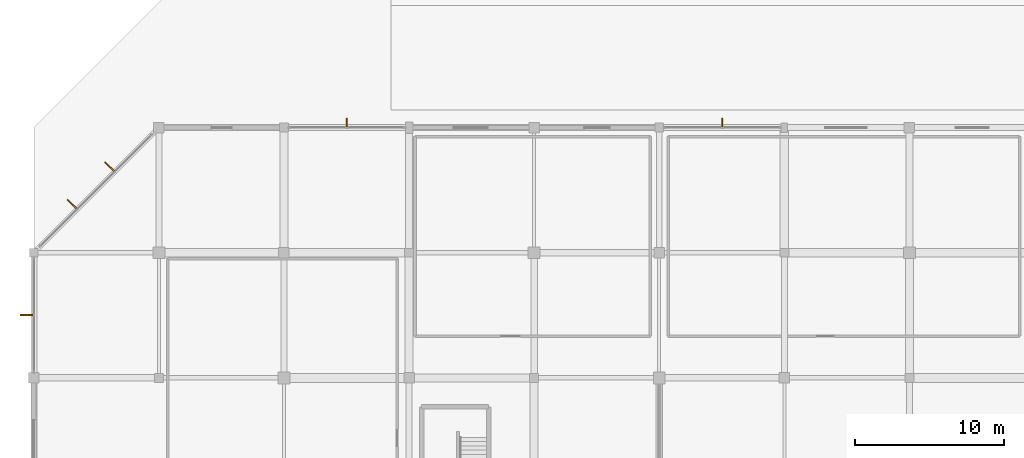
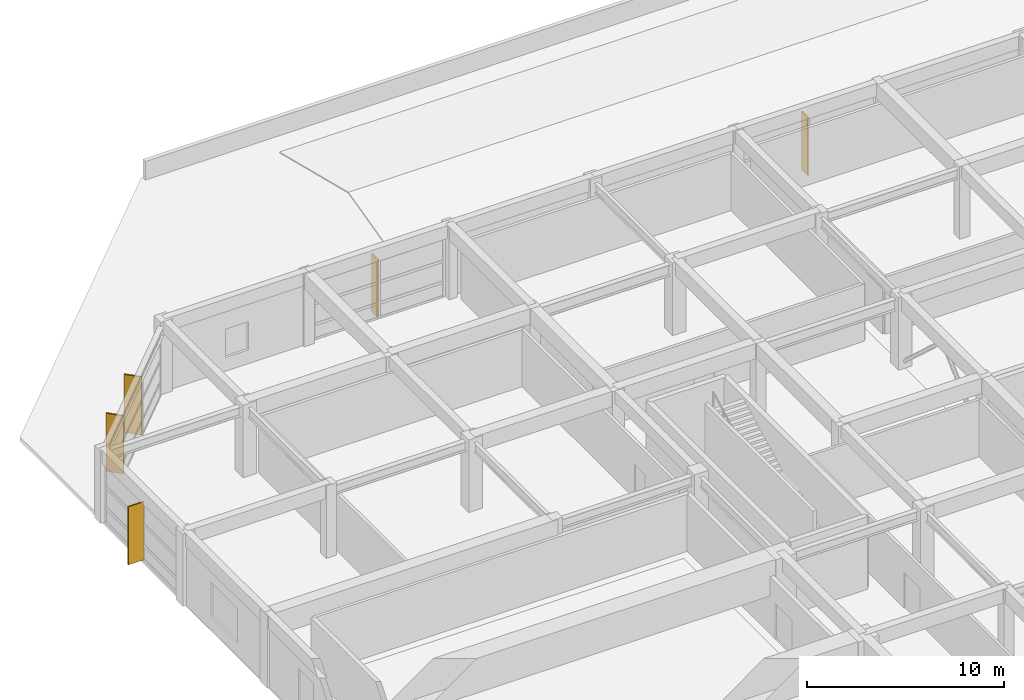
# One storey, part 56 of 60: 5 shading devices.
"""IFC4 building model written with IfcOpenShell, lengths in metres."""

import ifcopenshell
import ifcopenshell.guid

model = None  # the IFC model being written
_history = None  # IfcOwnerHistory: only IFC2X3 demands one
_inside = {}  # id of a spatial element -> (the spatial element, [elements in it])
_under = {}  # id of a project, library or spatial element -> (it, [spatial elements below it])
_declared = {}  # id of a project -> (the project, [libraries it declares])
_typed = {}  # id of a type object -> (the type object, [elements of that type])
_made_of = {}  # id of a material, layer set ... -> (it, [elements and type objects made of it])


def new_model(schema):
    """Start an empty IFC model of exactly this schema.

    Asked for "IFC4X3", IfcOpenShell would pick the latest addendum, in which some entities
    have other attributes; the version numbers below select the first issue.
    IFC2X3 requires an IfcOwnerHistory on every rooted entity: one is made here for all.
    """
    global model, _history
    if schema == "IFC4X3":
        model = ifcopenshell.file(schema_version=(4, 3, 0, 0))
    else:
        model = ifcopenshell.file(schema=schema)
    _inside.clear()
    _under.clear()
    _declared.clear()
    _typed.clear()
    _made_of.clear()
    _history = None
    if model.schema == "IFC2X3":
        org = make("IfcOrganization", Name="unknown")
        user = make(
            "IfcPersonAndOrganization",
            ThePerson=make("IfcPerson", FamilyName="unknown"),
            TheOrganization=org,
        )
        app = make(
            "IfcApplication",
            ApplicationDeveloper=org,
            Version="unknown",
            ApplicationFullName="unknown",
            ApplicationIdentifier="unknown",
        )
        _history = make(
            "IfcOwnerHistory",
            OwningUser=user,
            OwningApplication=app,
            ChangeAction="ADDED",
            CreationDate=0,
        )
    return model


def make(cls, **values):
    """One entity of the class cls with the attributes given. An attribute that is None is left unset."""
    return model.create_entity(
        cls, **{name: value for name, value in values.items() if value is not None}
    )


def rooted(cls, **values):
    """An entity with a GlobalId (a new one), such as an element, a storey or a relation."""
    return make(cls, GlobalId=ifcopenshell.guid.new(), OwnerHistory=_history, **values)


def si_unit(unit_type, name, prefix=None):
    """IfcSIUnit, for example si_unit("LENGTHUNIT", "METRE", prefix="MILLI")."""
    return make("IfcSIUnit", UnitType=unit_type, Prefix=prefix, Name=name)


def assignment(units):
    """IfcUnitAssignment: the units of a project."""
    return None if units is None else make("IfcUnitAssignment", Units=units)


def point(xyz):
    """IfcCartesianPoint."""
    return None if xyz is None else make("IfcCartesianPoint", Coordinates=xyz)


def direction(xyz):
    """IfcDirection."""
    return None if xyz is None else make("IfcDirection", DirectionRatios=xyz)


def frame(location, z_axis=None, x_axis=None):
    """IfcAxis2Placement3D, a coordinate frame: its origin and axes. An axis left out is left unset."""
    return make(
        "IfcAxis2Placement3D",
        Location=point(location),
        Axis=direction(z_axis),
        RefDirection=direction(x_axis),
    )


def frame_2d(location, x_axis=None):
    """IfcAxis2Placement2D, a coordinate frame in the plane: its origin and x axis."""
    return make(
        "IfcAxis2Placement2D", Location=point(location), RefDirection=direction(x_axis)
    )


def origin():
    """The frame at (0, 0, 0) with its axes left unset."""
    return frame((0.0, 0.0, 0.0))


def origin_2d():
    """The frame at (0, 0) in the plane with its x axis left unset."""
    return frame_2d((0.0, 0.0))


def place(relative_to, where):
    """IfcLocalPlacement: puts the frame where relative to a parent placement (None: the world)."""
    return make(
        "IfcLocalPlacement", PlacementRelTo=relative_to, RelativePlacement=where
    )


def context(
    kind, dimensions, precision=None, world=None, true_north=None, identifier=None
):
    """IfcGeometricRepresentationContext, for example the 3D "Model" context."""
    return make(
        "IfcGeometricRepresentationContext",
        ContextIdentifier=identifier,
        ContextType=kind,
        CoordinateSpaceDimension=dimensions,
        Precision=precision,
        WorldCoordinateSystem=world,
        TrueNorth=true_north,
    )


def subcontext(parent, identifier, kind, view, scale=None):
    """IfcGeometricRepresentationSubContext, for example "Body" below "Model"."""
    return make(
        "IfcGeometricRepresentationSubContext",
        ContextIdentifier=identifier,
        ContextType=kind,
        ParentContext=parent,
        TargetScale=scale,
        TargetView=view,
    )


def project(units=None, contexts=None):
    """IfcProject with its units and contexts."""
    return rooted(
        "IfcProject",
        Name="project",
        RepresentationContexts=contexts,
        UnitsInContext=assignment(units),
    )


def spatial(cls, under=None, at=None, **own):
    """A site, building, storey or space (cls), placed at a placement, below another one or the project."""
    s = rooted(cls, ObjectPlacement=at, **own)
    if under is not None:
        _under.setdefault(under.id(), (under, []))[1].append(s)
    return s


def profile(cls, at=None, kind="AREA", **sizes):
    """A parametric profile (cls). Its sizes go by their IFC names, for example OverallWidth=200.0."""
    return make(cls, ProfileType=kind, Position=at, **sizes)


def rectangle(**sizes):
    """IfcRectangleProfileDef."""
    return profile("IfcRectangleProfileDef", **sizes)


def extrude(swept, where, along, depth):
    """IfcExtrudedAreaSolid: the profile swept, set in the frame where, extruded along a direction by depth."""
    return make(
        "IfcExtrudedAreaSolid",
        SweptArea=swept,
        Position=where,
        ExtrudedDirection=direction(along),
        Depth=depth,
    )


def shape(context_of_items, identifier, shape_type, items):
    """IfcShapeRepresentation: the items that make up one representation, for example the "Body"."""
    return make(
        "IfcShapeRepresentation",
        ContextOfItems=context_of_items,
        RepresentationIdentifier=identifier,
        RepresentationType=shape_type,
        Items=items,
    )


def material(Name=None, Category=None):
    """IfcMaterial."""
    return make("IfcMaterial", Name=Name, Category=Category)


def made_of(thing, what):
    """Note that an element or type object is made of a material, layer set ...; save() writes the relation."""
    if what is not None:
        _made_of.setdefault(what.id(), (what, []))[1].append(thing)
    return thing


def type_object(cls, material=None, **own):
    """A type object (cls), such as IfcWallType, which elements share."""
    return made_of(rooted(cls, **own), material)


def element(
    cls,
    number,
    at=None,
    inside=None,
    cuts=None,
    type_object=None,
    material=None,
    context=None,
    identifier="Body",
    shape_type=None,
    held_by="IfcProductDefinitionShape",
    body=None,
    shapes=None,
    **own,
):
    """One element of the class cls, such as IfcWall. Its Tag is "e" and its number.

    at: its placement. inside: the storey or other place that contains it. cuts: it is an
    opening in that element (IfcRelVoidsElement). A single representation is given by context,
    identifier, shape_type and body (its items); several are given by shapes. held_by: the class
    of the entity that holds the representations. save() writes the other relations.
    """
    e = rooted(cls, Tag="e%d" % number, ObjectPlacement=at, **own)
    if body is not None:
        shapes = [shape(context, identifier, shape_type, body)]
    if shapes is not None:
        e.Representation = make(held_by, Representations=shapes)
    if inside is not None:
        _inside.setdefault(inside.id(), (inside, []))[1].append(e)
    if cuts is not None:
        rooted(
            "IfcRelVoidsElement", RelatingBuildingElement=cuts, RelatedOpeningElement=e
        )
    if type_object is not None:
        _typed.setdefault(type_object.id(), (type_object, []))[1].append(e)
    return made_of(e, material)


def aggregate(whole, parts):
    """IfcRelAggregates: a whole, such as a stair, and the parts it consists of."""
    return rooted("IfcRelAggregates", RelatingObject=whole, RelatedObjects=parts)


def save(model, path):
    """Write the relations noted so far, then the file.

    IfcRelAggregates (storeys below a building ...), IfcRelContainedInSpatialStructure (elements
    in a storey), IfcRelDefinesByType, IfcRelAssociatesMaterial and IfcRelDeclares: one each for
    every whole, place, type object, material and project.
    """
    for whole, parts in _under.values():
        aggregate(whole, parts)
    for where, things in _inside.values():
        rooted(
            "IfcRelContainedInSpatialStructure",
            RelatedElements=things,
            RelatingStructure=where,
        )
    for kind, things in _typed.values():
        rooted("IfcRelDefinesByType", RelatedObjects=things, RelatingType=kind)
    for what, things in _made_of.values():
        rooted("IfcRelAssociatesMaterial", RelatedObjects=things, RelatingMaterial=what)
    for by, libraries in _declared.values():
        rooted("IfcRelDeclares", RelatingContext=by, RelatedDefinitions=libraries)
    model.write(path)


model = new_model("IFC4")

# Units and contexts
model_context = context("Model", 3, precision=1e-05, world=origin(), true_north=direction((0.0, 1.0)))
body_context = subcontext(model_context, "Body", "Model", "MODEL_VIEW")
ifc_project = project(units=[si_unit("LENGTHUNIT", "METRE"), si_unit("AREAUNIT", "SQUARE_METRE"), si_unit("VOLUMEUNIT", "CUBIC_METRE"), si_unit("PLANEANGLEUNIT", "RADIAN"), si_unit("MASSUNIT", "GRAM", prefix="KILO")], contexts=[model_context])

# Site, building, storey
site_placement = place(None, origin())
site = spatial("IfcSite", under=ifc_project, at=site_placement, CompositionType="ELEMENT")
building_placement = place(site_placement, origin())
building = spatial("IfcBuilding", under=site, at=building_placement, Name="Xuanlan Plaza Opera House", CompositionType="ELEMENT")
storey_placement = place(building_placement, frame((0.0, 0.0, 9.89990234375)))
storey = spatial("IfcBuildingStorey", under=building, at=storey_placement, Name="L02", CompositionType="ELEMENT", Elevation=9.89990234375)

# Shading devices
ifc_material = material(Name="Anodised Aluminium 6063-T6", Category="aluminium")
shading_device_type_1 = type_object("IfcShadingDeviceType", Name="ENV-SHD-BRS01", PredefinedType="JALOUSIE", material=ifc_material)
for number, where, z_axis, x_axis, name in (
    (1, (46.237548828125, 101.125, 0.0400390625), (0.0, 0.0, 1.0), (0.0, 1.0, 0.0), "Parametric Sunshade Fin L02-0138"),
    (2, (21.02490234375, 101.125, 0.0400390625), (0.0, 0.0, 1.0), (0.0, 1.0, 0.0), "Parametric Sunshade Fin L02-0139"),
):
    element("IfcShadingDevice", number, at=place(storey_placement, frame(where, z_axis=z_axis, x_axis=x_axis)), inside=storey, type_object=shading_device_type_1, Name=name, PredefinedType="JALOUSIE", context=body_context, shape_type="SweptSolid", body=[
        extrude(rectangle(XDim=0.639892578125, YDim=0.070068359375, at=origin_2d()), origin(), (0.0, 0.0, 1.0), 3.60009765625),
    ])
shading_device_type_2 = type_object("IfcShadingDeviceType", Name="ENV-SHD-BRS02", PredefinedType="JALOUSIE", material=ifc_material)
for number, where, z_axis, x_axis, name in (
    (3, (5.10498046875, 98.16259765625, 0.0400390625), (0.0, 0.0, 1.0), (-0.707106781187, 0.707106781187, 0.0), "Parametric Sunshade Fin L02-0140"),
    (4, (2.58740234375, 95.64501953125, 0.0400390625), (0.0, 0.0, 1.0), (-0.707106781187, 0.707106781187, 0.0), "Parametric Sunshade Fin L02-0141"),
    (5, (-0.465087890625, 88.22509765625, 0.0400390625), (0.0, 0.0, 1.0), (-1.0, 0.0, 0.0), "Parametric Sunshade Fin L02-0142"),
):
    element("IfcShadingDevice", number, at=place(storey_placement, frame(where, z_axis=z_axis, x_axis=x_axis)), inside=storey, type_object=shading_device_type_2, Name=name, PredefinedType="JALOUSIE", context=body_context, shape_type="SweptSolid", body=[
        extrude(rectangle(XDim=0.919921875, YDim=0.080078125, at=origin_2d()), origin(), (0.0, 0.0, 1.0), 3.60009765625),
    ])

save(model, "model.ifc")
